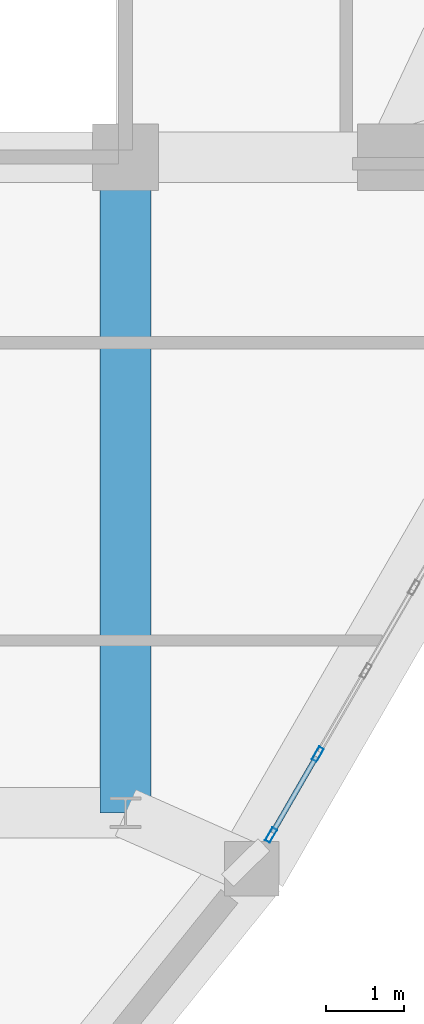
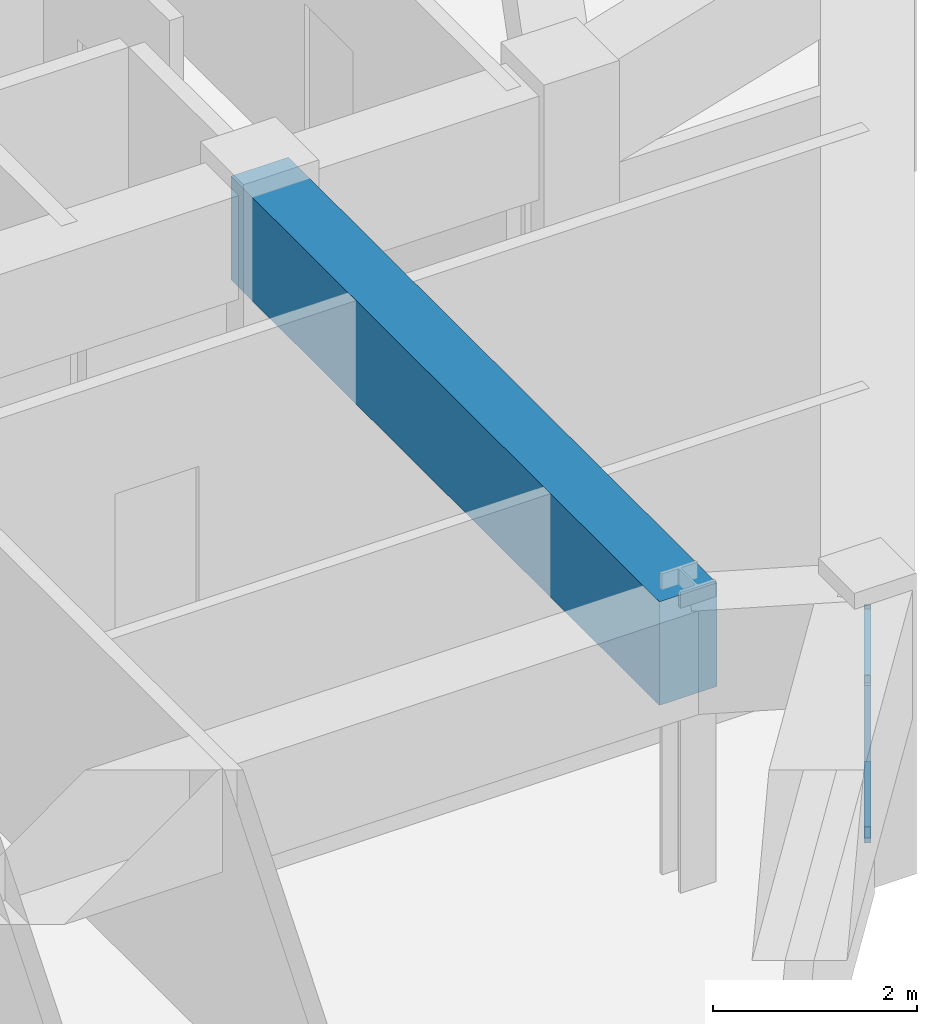
# One storey, part 4 of 15: 4 members, 1 beam, 1 element without a shape of its own.
"""IFC4 building model written with IfcOpenShell, lengths in metres."""

import ifcopenshell
import ifcopenshell.guid

model = None  # the IFC model being written
_history = None  # IfcOwnerHistory: only IFC2X3 demands one
_inside = {}  # id of a spatial element -> (the spatial element, [elements in it])
_under = {}  # id of a project, library or spatial element -> (it, [spatial elements below it])
_declared = {}  # id of a project -> (the project, [libraries it declares])
_typed = {}  # id of a type object -> (the type object, [elements of that type])
_made_of = {}  # id of a material, layer set ... -> (it, [elements and type objects made of it])


def new_model(schema):
    """Start an empty IFC model of exactly this schema.

    Asked for "IFC4X3", IfcOpenShell would pick the latest addendum, in which some entities
    have other attributes; the version numbers below select the first issue.
    IFC2X3 requires an IfcOwnerHistory on every rooted entity: one is made here for all.
    """
    global model, _history
    if schema == "IFC4X3":
        model = ifcopenshell.file(schema_version=(4, 3, 0, 0))
    else:
        model = ifcopenshell.file(schema=schema)
    _inside.clear()
    _under.clear()
    _declared.clear()
    _typed.clear()
    _made_of.clear()
    _history = None
    if model.schema == "IFC2X3":
        org = make("IfcOrganization", Name="unknown")
        user = make(
            "IfcPersonAndOrganization",
            ThePerson=make("IfcPerson", FamilyName="unknown"),
            TheOrganization=org,
        )
        app = make(
            "IfcApplication",
            ApplicationDeveloper=org,
            Version="unknown",
            ApplicationFullName="unknown",
            ApplicationIdentifier="unknown",
        )
        _history = make(
            "IfcOwnerHistory",
            OwningUser=user,
            OwningApplication=app,
            ChangeAction="ADDED",
            CreationDate=0,
        )
    return model


def make(cls, **values):
    """One entity of the class cls with the attributes given. An attribute that is None is left unset."""
    return model.create_entity(
        cls, **{name: value for name, value in values.items() if value is not None}
    )


def rooted(cls, **values):
    """An entity with a GlobalId (a new one), such as an element, a storey or a relation."""
    return make(cls, GlobalId=ifcopenshell.guid.new(), OwnerHistory=_history, **values)


def si_unit(unit_type, name, prefix=None):
    """IfcSIUnit, for example si_unit("LENGTHUNIT", "METRE", prefix="MILLI")."""
    return make("IfcSIUnit", UnitType=unit_type, Prefix=prefix, Name=name)


def derived_unit(unit_type, elements):
    """IfcDerivedUnit: a product of units, each with its exponent."""
    return make(
        "IfcDerivedUnit",
        Elements=[
            make("IfcDerivedUnitElement", Unit=unit, Exponent=power)
            for unit, power in elements
        ],
        UnitType=unit_type,
    )


def assignment(units):
    """IfcUnitAssignment: the units of a project."""
    return None if units is None else make("IfcUnitAssignment", Units=units)


def point(xyz):
    """IfcCartesianPoint."""
    return None if xyz is None else make("IfcCartesianPoint", Coordinates=xyz)


def direction(xyz):
    """IfcDirection."""
    return None if xyz is None else make("IfcDirection", DirectionRatios=xyz)


def frame(location, z_axis=None, x_axis=None):
    """IfcAxis2Placement3D, a coordinate frame: its origin and axes. An axis left out is left unset."""
    return make(
        "IfcAxis2Placement3D",
        Location=point(location),
        Axis=direction(z_axis),
        RefDirection=direction(x_axis),
    )


def frame_2d(location, x_axis=None):
    """IfcAxis2Placement2D, a coordinate frame in the plane: its origin and x axis."""
    return make(
        "IfcAxis2Placement2D", Location=point(location), RefDirection=direction(x_axis)
    )


def origin():
    """The frame at (0, 0, 0) with its axes left unset."""
    return frame((0.0, 0.0, 0.0))


def origin_2d():
    """The frame at (0, 0) in the plane with its x axis left unset."""
    return frame_2d((0.0, 0.0))


def place(relative_to, where):
    """IfcLocalPlacement: puts the frame where relative to a parent placement (None: the world)."""
    return make(
        "IfcLocalPlacement", PlacementRelTo=relative_to, RelativePlacement=where
    )


def context(
    kind, dimensions, precision=None, world=None, true_north=None, identifier=None
):
    """IfcGeometricRepresentationContext, for example the 3D "Model" context."""
    return make(
        "IfcGeometricRepresentationContext",
        ContextIdentifier=identifier,
        ContextType=kind,
        CoordinateSpaceDimension=dimensions,
        Precision=precision,
        WorldCoordinateSystem=world,
        TrueNorth=true_north,
    )


def subcontext(parent, identifier, kind, view, scale=None):
    """IfcGeometricRepresentationSubContext, for example "Body" below "Model"."""
    return make(
        "IfcGeometricRepresentationSubContext",
        ContextIdentifier=identifier,
        ContextType=kind,
        ParentContext=parent,
        TargetScale=scale,
        TargetView=view,
    )


def project(units=None, contexts=None):
    """IfcProject with its units and contexts."""
    return rooted(
        "IfcProject",
        Name="project",
        RepresentationContexts=contexts,
        UnitsInContext=assignment(units),
    )


def spatial(cls, under=None, at=None, **own):
    """A site, building, storey or space (cls), placed at a placement, below another one or the project."""
    s = rooted(cls, ObjectPlacement=at, **own)
    if under is not None:
        _under.setdefault(under.id(), (under, []))[1].append(s)
    return s


def profile(cls, at=None, kind="AREA", **sizes):
    """A parametric profile (cls). Its sizes go by their IFC names, for example OverallWidth=200.0."""
    return make(cls, ProfileType=kind, Position=at, **sizes)


def rectangle(**sizes):
    """IfcRectangleProfileDef."""
    return profile("IfcRectangleProfileDef", **sizes)


def hollow_rectangle(**sizes):
    """IfcRectangleHollowProfileDef."""
    return profile("IfcRectangleHollowProfileDef", **sizes)


def extrude(swept, where, along, depth):
    """IfcExtrudedAreaSolid: the profile swept, set in the frame where, extruded along a direction by depth."""
    return make(
        "IfcExtrudedAreaSolid",
        SweptArea=swept,
        Position=where,
        ExtrudedDirection=direction(along),
        Depth=depth,
    )


def shape(context_of_items, identifier, shape_type, items):
    """IfcShapeRepresentation: the items that make up one representation, for example the "Body"."""
    return make(
        "IfcShapeRepresentation",
        ContextOfItems=context_of_items,
        RepresentationIdentifier=identifier,
        RepresentationType=shape_type,
        Items=items,
    )


def source(mapping_origin, context_of_items, identifier, shape_type, items):
    """IfcRepresentationMap: a shape defined once, which mapped items show again and again."""
    return make(
        "IfcRepresentationMap",
        MappingOrigin=mapping_origin,
        MappedRepresentation=shape(context_of_items, identifier, shape_type, items),
    )


def transform(
    local_origin,
    x_axis=None,
    y_axis=None,
    z_axis=None,
    scale=None,
    scale2=None,
    scale3=None,
    uniform=True,
):
    """IfcCartesianTransformationOperator3D, or its non-uniform kind. x_axis, y_axis, z_axis: its Axis1, 2, 3."""
    if uniform:
        return make(
            "IfcCartesianTransformationOperator3D",
            Axis1=direction(x_axis),
            Axis2=direction(y_axis),
            LocalOrigin=point(local_origin),
            Scale=scale,
            Axis3=direction(z_axis),
        )
    return make(
        "IfcCartesianTransformationOperator3DnonUniform",
        Axis1=direction(x_axis),
        Axis2=direction(y_axis),
        LocalOrigin=point(local_origin),
        Scale=scale,
        Axis3=direction(z_axis),
        Scale2=scale2,
        Scale3=scale3,
    )


def mapped(mapping_source, mapping_target):
    """IfcMappedItem: shows the shape of a source again, moved by a transform."""
    return make(
        "IfcMappedItem", MappingSource=mapping_source, MappingTarget=mapping_target
    )


def material(Name=None, Category=None):
    """IfcMaterial."""
    return make("IfcMaterial", Name=Name, Category=Category)


def layer(
    of_material, thickness, ventilated=None, Name=None, Category=None, Priority=None
):
    """IfcMaterialLayer: one layer of a wall or slab, of a material (None: an air gap)."""
    return make(
        "IfcMaterialLayer",
        Material=of_material,
        LayerThickness=thickness,
        IsVentilated=ventilated,
        Name=Name,
        Category=Category,
        Priority=Priority,
    )


def layer_set(layers, Name=None):
    """IfcMaterialLayerSet."""
    return make("IfcMaterialLayerSet", MaterialLayers=layers, LayerSetName=Name)


def material_profile(
    of_material, cross_section, Name=None, Category=None, Priority=None
):
    """IfcMaterialProfile: a cross section and its material."""
    return make(
        "IfcMaterialProfile",
        Name=Name,
        Material=of_material,
        Profile=cross_section,
        Priority=Priority,
        Category=Category,
    )


def profile_set(profiles, Name=None, composite=None):
    """IfcMaterialProfileSet."""
    return make(
        "IfcMaterialProfileSet",
        Name=Name,
        MaterialProfiles=profiles,
        CompositeProfile=composite,
    )


def made_of(thing, what):
    """Note that an element or type object is made of a material, layer set ...; save() writes the relation."""
    if what is not None:
        _made_of.setdefault(what.id(), (what, []))[1].append(thing)
    return thing


def type_object(cls, material=None, **own):
    """A type object (cls), such as IfcWallType, which elements share."""
    return made_of(rooted(cls, **own), material)


def element(
    cls,
    number,
    at=None,
    inside=None,
    cuts=None,
    type_object=None,
    material=None,
    context=None,
    identifier="Body",
    shape_type=None,
    held_by="IfcProductDefinitionShape",
    body=None,
    shapes=None,
    **own,
):
    """One element of the class cls, such as IfcWall. Its Tag is "e" and its number.

    at: its placement. inside: the storey or other place that contains it. cuts: it is an
    opening in that element (IfcRelVoidsElement). A single representation is given by context,
    identifier, shape_type and body (its items); several are given by shapes. held_by: the class
    of the entity that holds the representations. save() writes the other relations.
    """
    e = rooted(cls, Tag="e%d" % number, ObjectPlacement=at, **own)
    if body is not None:
        shapes = [shape(context, identifier, shape_type, body)]
    if shapes is not None:
        e.Representation = make(held_by, Representations=shapes)
    if inside is not None:
        _inside.setdefault(inside.id(), (inside, []))[1].append(e)
    if cuts is not None:
        rooted(
            "IfcRelVoidsElement", RelatingBuildingElement=cuts, RelatedOpeningElement=e
        )
    if type_object is not None:
        _typed.setdefault(type_object.id(), (type_object, []))[1].append(e)
    return made_of(e, material)


def aggregate(whole, parts):
    """IfcRelAggregates: a whole, such as a stair, and the parts it consists of."""
    return rooted("IfcRelAggregates", RelatingObject=whole, RelatedObjects=parts)


def save(model, path):
    """Write the relations noted so far, then the file.

    IfcRelAggregates (storeys below a building ...), IfcRelContainedInSpatialStructure (elements
    in a storey), IfcRelDefinesByType, IfcRelAssociatesMaterial and IfcRelDeclares: one each for
    every whole, place, type object, material and project.
    """
    for whole, parts in _under.values():
        aggregate(whole, parts)
    for where, things in _inside.values():
        rooted(
            "IfcRelContainedInSpatialStructure",
            RelatedElements=things,
            RelatingStructure=where,
        )
    for kind, things in _typed.values():
        rooted("IfcRelDefinesByType", RelatedObjects=things, RelatingType=kind)
    for what, things in _made_of.values():
        rooted("IfcRelAssociatesMaterial", RelatedObjects=things, RelatingMaterial=what)
    for by, libraries in _declared.values():
        rooted("IfcRelDeclares", RelatingContext=by, RelatedDefinitions=libraries)
    model.write(path)


model = new_model("IFC4")

# Units and contexts
model_context = context("Model", 3, precision=1e-05, world=origin(), true_north=direction((0.0, 1.0)))
body_context = subcontext(model_context, "Body", "Model", "MODEL_VIEW")
ifc_project = project(units=[si_unit("LENGTHUNIT", "METRE"), si_unit("AREAUNIT", "SQUARE_METRE"), si_unit("VOLUMEUNIT", "CUBIC_METRE"), si_unit("PLANEANGLEUNIT", "RADIAN"), si_unit("MASSUNIT", "GRAM", prefix="KILO"), derived_unit("THERMALTRANSMITTANCEUNIT", [(si_unit("POWERUNIT", "WATT"), 1), (si_unit("LENGTHUNIT", "METRE"), -2), (si_unit("THERMODYNAMICTEMPERATUREUNIT", "KELVIN"), -1)])], contexts=[model_context])

# Site, building, storey
site_placement = place(None, origin())
site = spatial("IfcSite", under=ifc_project, at=site_placement, CompositionType="ELEMENT")
building_placement = place(site_placement, origin())
building = spatial("IfcBuilding", under=site, at=building_placement, Name="Korsvarv Bourse and Concert Hall", CompositionType="ELEMENT")
storey_placement = place(building_placement, frame((0.0, 0.0, 250.199951171875)))
storey = spatial("IfcBuildingStorey", under=building, at=storey_placement, Name="L65", CompositionType="ELEMENT", Elevation=250.199951171875)

# Beam
ifc_material_1 = material(Name="Concrete C50/60", Category="concrete")
ifc_material_profile_1 = material_profile(ifc_material_1, rectangle(XDim=0.64990234375, YDim=1.239990234375, at=origin_2d()), Name="RC-BM 650x1240")
ifc_profile_set_1 = profile_set([ifc_material_profile_1], Name="Concrete C50/60")
beam_type = type_object("IfcBeamType", Name="BM-TR-SPN", PredefinedType="BEAM", material=ifc_profile_set_1)
shared_shape_1 = source(origin(), body_context, "Body", "SweptSolid", [
    extrude(rectangle(XDim=0.64990234375, YDim=1.239990234375, at=origin_2d()), origin(), (0.0, 0.0, 1.0), 8.39990234375),
])
beam_placement = place(storey_placement, frame((44.39990234375, 24.0, 2.7900390625), z_axis=(0.0, 1.0, 0.0), x_axis=(-1.0, 0.0, 0.0)))
element("IfcBeam", 1, at=beam_placement, inside=storey, type_object=beam_type, Name="L65 beam B-TRS", PredefinedType="BEAM", context=body_context, shape_type="MappedRepresentation", body=[
    mapped(shared_shape_1, transform((0.0, 0.0, 0.0), scale=1.0)),
])

# Curtain wall, members
ifc_material_2 = material(Name="Anodised aluminium and triple low-E glazing", Category="glass")
ifc_layer = layer(ifc_material_2, 0.199951171875)
ifc_layer_set = layer_set([ifc_layer], Name="Anodised aluminium and triple low-E glazing")
curtain_wall_type = type_object("IfcCurtainWallType", Name="CW-SYS-3", PredefinedType="NOTDEFINED", material=ifc_layer_set)
curtain_wall_placement = place(storey_placement, origin())
curtain_wall = element("IfcCurtainWall", 2, at=curtain_wall_placement, inside=storey, type_object=curtain_wall_type, Name="L65 CW3 curtain wall CW-L65-F11", PredefinedType="NOTDEFINED")
ifc_material_3 = material(Name="Extruded aluminium EN AW-6063 T66", Category="aluminium")
ifc_material_profile_2 = material_profile(ifc_material_3, hollow_rectangle(XDim=0.070068359375, YDim=0.18994140625, WallThickness=0.0048828125, at=origin_2d()), Name="ALU-M 70x190")
ifc_profile_set_2 = profile_set([ifc_material_profile_2], Name="Extruded aluminium EN AW-6063 T66")
member_type_1 = type_object("IfcMemberType", Name="CWM-190", PredefinedType="MULLION", material=ifc_profile_set_2)
shared_shape_2 = source(origin(), body_context, "Body", "SweptSolid", [
    extrude(hollow_rectangle(XDim=0.070068359375, YDim=0.18994140625, WallThickness=0.0048828125, at=origin_2d()), origin(), (0.0, 0.0, 1.0), 1.880126953125),
])
member_1_placement = place(storey_placement, frame((46.264892578125, 23.714111328125, 0.0), z_axis=(0.0, 0.0, 1.0), x_axis=(-0.866021686907, 0.500006437765, 0.0)))
member_1 = element("IfcMember", 3, at=member_1_placement, type_object=member_type_1, Name="CW3 mullion 1", PredefinedType="MULLION", context=body_context, shape_type="MappedRepresentation", body=[
    mapped(shared_shape_2, transform((0.0, 0.0, 0.0), scale=1.0)),
])
member_2_placement = place(storey_placement, frame((46.86328125, 24.750244140625, 0.0), z_axis=(0.0, 0.0, 1.0), x_axis=(-0.866021686907, 0.500006437765, 0.0)))
member_2 = element("IfcMember", 4, at=member_2_placement, type_object=member_type_1, Name="CW3 mullion 2", PredefinedType="MULLION", context=body_context, shape_type="MappedRepresentation", body=[
    mapped(shared_shape_2, transform((0.0, 0.0, 0.0), scale=1.0)),
])
ifc_material_profile_3 = material_profile(ifc_material_3, hollow_rectangle(XDim=0.06494140625, YDim=0.139892578125, WallThickness=0.00390625, at=origin_2d()), Name="ALU-T 65x140")
ifc_profile_set_3 = profile_set([ifc_material_profile_3], Name="Extruded aluminium EN AW-6063 T66")
member_type_2 = type_object("IfcMemberType", Name="CWT-140", PredefinedType="USERDEFINED", material=ifc_profile_set_3)
shared_shape_3 = source(origin(), body_context, "Body", "SweptSolid", [
    extrude(hollow_rectangle(XDim=0.06494140625, YDim=0.139892578125, WallThickness=0.00390625, at=origin_2d()), origin(), (0.0, 0.0, 1.0), 1.12646484375),
])
member_3_placement = place(storey_placement, frame((46.282470703125, 23.744384765625, 0.032470703125), z_axis=(0.499985098601, 0.86603400694, 0.0), x_axis=(-0.86603400694, 0.499985098601, 0.0)))
member_3 = element("IfcMember", 5, at=member_3_placement, type_object=member_type_2, Name="CW3 transom 1.1", ObjectType="TRANSOM", PredefinedType="USERDEFINED", context=body_context, shape_type="MappedRepresentation", body=[
    mapped(shared_shape_3, transform((0.0, 0.0, 0.0), scale=1.0)),
])
member_4_placement = place(storey_placement, frame((46.282470703125, 23.744384765625, 1.84765625), z_axis=(0.499985098601, 0.86603400694, 0.0), x_axis=(-0.86603400694, 0.499985098601, 0.0)))
member_4 = element("IfcMember", 6, at=member_4_placement, type_object=member_type_2, Name="CW3 transom 1.2", ObjectType="TRANSOM", PredefinedType="USERDEFINED", context=body_context, shape_type="MappedRepresentation", body=[
    mapped(shared_shape_3, transform((0.0, 0.0, 0.0), scale=1.0)),
])
aggregate(curtain_wall, [member_1, member_2, member_3, member_4])

save(model, "model.ifc")
